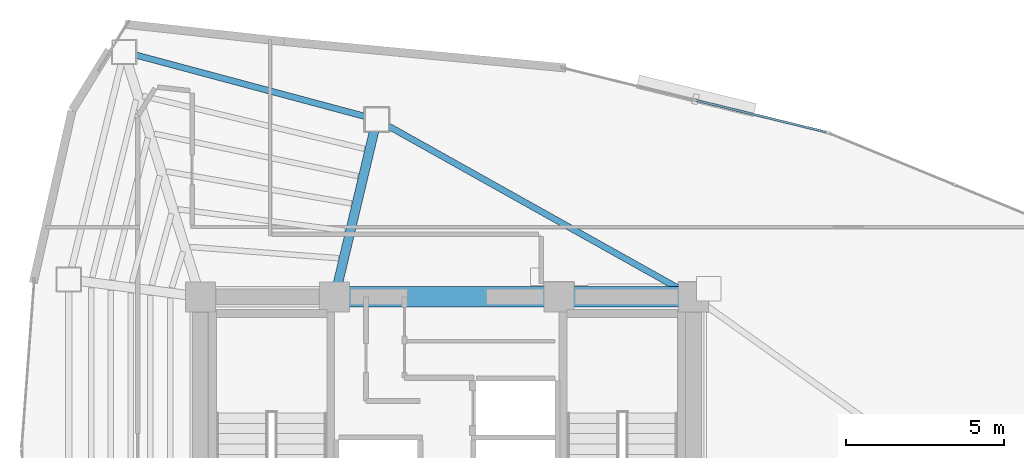
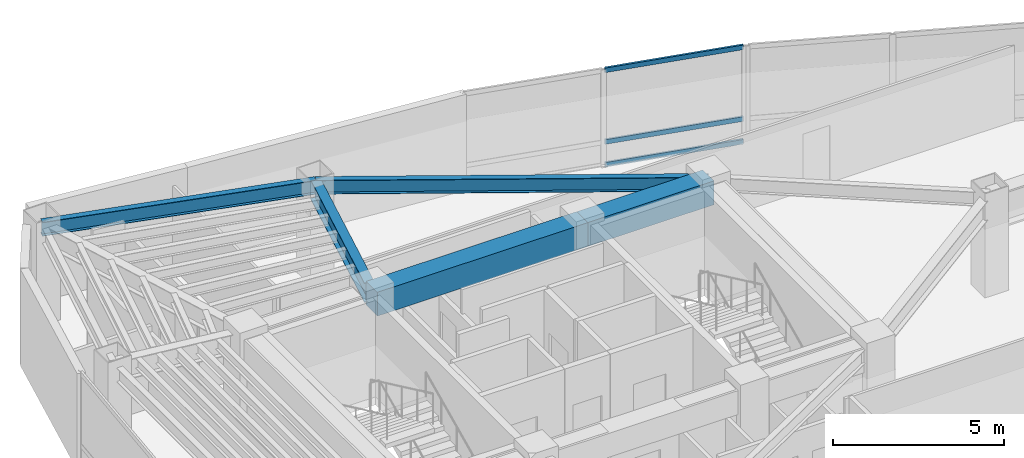
# One storey, part 9 of 17: 5 beams, 3 members, 1 element without a shape of its own.
"""IFC4 building model written with IfcOpenShell, lengths in metres."""

from ifc_helpers import new_model, si_unit, direction, frame, origin, origin_2d, place, context, subcontext, project, spatial, rectangle, hollow_rectangle, i_section, extrude, material, layer, layer_set, material_profile, profile_set, type_object, element, aggregate, save


model = new_model("IFC4")

# Units and contexts
model_context = context("Model", 3, precision=1e-05, world=origin(), true_north=direction((0.0, 1.0)))
body_context = subcontext(model_context, "Body", "Model", "MODEL_VIEW")
ifc_project = project(units=[si_unit("LENGTHUNIT", "METRE"), si_unit("AREAUNIT", "SQUARE_METRE"), si_unit("VOLUMEUNIT", "CUBIC_METRE"), si_unit("PLANEANGLEUNIT", "RADIAN"), si_unit("MASSUNIT", "GRAM", prefix="KILO")], contexts=[model_context])

# Site, building, storey
site_placement = place(None, origin())
site = spatial("IfcSite", under=ifc_project, at=site_placement, CompositionType="ELEMENT")
building_placement = place(site_placement, origin())
building = spatial("IfcBuilding", under=site, at=building_placement, Name="Menara Vayukalpa", CompositionType="ELEMENT")
storey_placement = place(building_placement, frame((0.0, 0.0, 234.419921875)))
storey = spatial("IfcBuildingStorey", under=building, at=storey_placement, Name="L59", CompositionType="ELEMENT", Elevation=234.419921875)

# Beams
ifc_material_1 = material(Name="Concrete C60/75", Category="concrete")
ifc_material_profile_1 = material_profile(ifc_material_1, rectangle(XDim=0.64990234375, YDim=0.85009765625, at=origin_2d()), Name="RC 650x850")
ifc_profile_set_1 = profile_set([ifc_material_profile_1], Name="Concrete C60/75")
beam_type_1 = type_object("IfcBeamType", Name="BM-CB1", PredefinedType="BEAM", material=ifc_profile_set_1)
beam_1_placement = place(storey_placement, frame((22.050048828125, 26.800048828125, 3.01513671875), z_axis=(1.0, 0.0, 0.0), x_axis=(0.0, 1.0, 0.0)))
element("IfcBeam", 1, at=beam_1_placement, inside=storey, type_object=beam_type_1, Name="L59 Core Tie Beam CBR5", PredefinedType="BEAM", context=body_context, shape_type="SweptSolid", body=[
    extrude(rectangle(XDim=0.64990234375, YDim=0.85009765625, at=origin_2d()), origin(), (0.0, 0.0, 1.0), 7.099853515625),
])
beam_2_placement = place(storey_placement, frame((29.14990234375, 26.800048828125, 3.01513671875), z_axis=(1.0, 0.0, 0.0), x_axis=(0.0, 1.0, 0.0)))
element("IfcBeam", 2, at=beam_2_placement, inside=storey, type_object=beam_type_1, Name="L59 Core Tie Beam CBR6", PredefinedType="BEAM", context=body_context, shape_type="SweptSolid", body=[
    extrude(rectangle(XDim=0.64990234375, YDim=0.85009765625, at=origin_2d()), origin(), (0.0, 0.0, 1.0), 4.25),
])
ifc_material_2 = material(Name="Steel S355", Category="steel")
ifc_material_profile_2 = material_profile(ifc_material_2, i_section(OverallWidth=0.300048828125, OverallDepth=0.699951171875, WebThickness=0.012939453125, FlangeThickness=0.02392578125, at=origin_2d()), Name="WF 700x300x13x24")
ifc_profile_set_2 = profile_set([ifc_material_profile_2], Name="Steel S355")
beam_type_2 = type_object("IfcBeamType", Name="BM-PG5", PredefinedType="BEAM", material=ifc_profile_set_2)
beam_3_placement = place(storey_placement, frame((22.10791015625, 27.043212890625, 3.090087890625), z_axis=(0.231167310854, 0.972914011818, 0.0), x_axis=(-0.972914011818, 0.231167310854, 0.0)))
element("IfcBeam", 3, at=beam_3_placement, inside=storey, type_object=beam_type_2, Name="L59 Primary Radial Girder RG03", PredefinedType="BEAM", context=body_context, shape_type="SweptSolid", body=[
    extrude(i_section(OverallWidth=0.300048828125, OverallDepth=0.699951171875, WebThickness=0.012939453125, FlangeThickness=0.02392578125, at=origin_2d()), origin(), (0.0, 0.0, 1.0), 5.5107421875),
])
ifc_material_3 = material(Name="Steel S355", Category="steel")
ifc_material_profile_3 = material_profile(ifc_material_3, i_section(OverallWidth=0.199951171875, OverallDepth=0.5, WebThickness=0.010009765625, FlangeThickness=0.01611328125, at=origin_2d()), Name="WF 500x200x10x16")
ifc_profile_set_3 = profile_set([ifc_material_profile_3], Name="Steel S355")
beam_type_3 = type_object("IfcBeamType", Name="BM-SP3", PredefinedType="SPANDREL", material=ifc_profile_set_3)
beam_4_placement = place(storey_placement, frame((33.39990234375, 26.800048828125, 3.190185546875), z_axis=(-0.87270577288, 0.48824648896, 0.0), x_axis=(-0.48824648896, -0.87270577288, 0.0)))
element("IfcBeam", 4, at=beam_4_placement, inside=storey, type_object=beam_type_3, Name="L59 Perimeter Spandrel Beam SP02", PredefinedType="SPANDREL", context=body_context, shape_type="SweptSolid", body=[
    extrude(i_section(OverallWidth=0.199951171875, OverallDepth=0.5, WebThickness=0.010009765625, FlangeThickness=0.01611328125, at=origin_2d()), origin(), (0.0, 0.0, 1.0), 11.479248046875),
])
beam_5_placement = place(storey_placement, frame((23.3818359375, 32.40478515625, 3.190185546875), z_axis=(-0.965978332552, 0.258623009494, 0.0), x_axis=(-0.258623009494, -0.965978332552, 0.0)))
element("IfcBeam", 5, at=beam_5_placement, inside=storey, type_object=beam_type_3, Name="L59 Perimeter Spandrel Beam SP03", PredefinedType="SPANDREL", context=body_context, shape_type="SweptSolid", body=[
    extrude(i_section(OverallWidth=0.199951171875, OverallDepth=0.5, WebThickness=0.010009765625, FlangeThickness=0.01611328125, at=origin_2d()), origin(), (0.0, 0.0, 1.0), 8.274169921875),
])

# Curtain wall, members
ifc_material_4 = material(Name="Anodised Terracotta Aluminium Alloy 6063-T6", Category="masonry")
ifc_layer = layer(ifc_material_4, 0.179931640625)
ifc_layer_set = layer_set([ifc_layer], Name="Anodised Terracotta Aluminium Alloy 6063-T6")
curtain_wall_type = type_object("IfcCurtainWallType", Name="CW-CW4", PredefinedType="USERDEFINED", material=ifc_layer_set)
curtain_wall_placement = place(storey_placement, origin())
curtain_wall = element("IfcCurtainWall", 6, at=curtain_wall_placement, inside=storey, type_object=curtain_wall_type, Name="L59 Sky Bar Cantilever Glazed Curtain Wall CW4 05", ObjectType="UNITISED", PredefinedType="USERDEFINED")
ifc_material_5 = material(Name="Anodised Terracotta Aluminium Alloy 6063-T6", Category="masonry")
ifc_material_profile_4 = material_profile(ifc_material_5, hollow_rectangle(XDim=0.070068359375, YDim=0.1650390625, WallThickness=0.00390625, at=origin_2d()), Name="ALU 70x165x4")
ifc_profile_set_4 = profile_set([ifc_material_profile_4], Name="Anodised Terracotta Aluminium Alloy 6063-T6")
member_type = type_object("IfcMemberType", Name="CWT-CW4", PredefinedType="USERDEFINED", material=ifc_profile_set_4)
member_1_placement = place(storey_placement, frame((37.583251953125, 32.009765625, 0.03515625), z_axis=(-0.971313425115, 0.237802923009, 0.0), x_axis=(-0.237802923009, -0.971313425115, 0.0)))
member_1 = element("IfcMember", 7, at=member_1_placement, type_object=member_type, Name="CW4 transom 1.1", ObjectType="TRANSOM", PredefinedType="USERDEFINED", context=body_context, shape_type="SweptSolid", body=[
    extrude(hollow_rectangle(XDim=0.070068359375, YDim=0.1650390625, WallThickness=0.00390625, at=origin_2d()), origin(), (0.0, 0.0, 1.0), 4.21435546875),
])
member_2_placement = place(storey_placement, frame((37.583251953125, 32.009765625, 0.85009765625), z_axis=(-0.971313425115, 0.237802923009, 0.0), x_axis=(-0.237802923009, -0.971313425115, 0.0)))
member_2 = element("IfcMember", 8, at=member_2_placement, type_object=member_type, Name="CW4 transom 1.2", ObjectType="TRANSOM", PredefinedType="USERDEFINED", context=body_context, shape_type="SweptSolid", body=[
    extrude(hollow_rectangle(XDim=0.070068359375, YDim=0.1650390625, WallThickness=0.00390625, at=origin_2d()), origin(), (0.0, 0.0, 1.0), 4.21435546875),
])
member_3_placement = place(storey_placement, frame((37.583251953125, 32.009765625, 3.405029296875), z_axis=(-0.971313425115, 0.237802923009, 0.0), x_axis=(-0.237802923009, -0.971313425115, 0.0)))
member_3 = element("IfcMember", 9, at=member_3_placement, type_object=member_type, Name="CW4 transom 1.3", ObjectType="TRANSOM", PredefinedType="USERDEFINED", context=body_context, shape_type="SweptSolid", body=[
    extrude(hollow_rectangle(XDim=0.070068359375, YDim=0.1650390625, WallThickness=0.00390625, at=origin_2d()), origin(), (0.0, 0.0, 1.0), 4.21435546875),
])
aggregate(curtain_wall, [member_1, member_2, member_3])

save(model, "model.ifc")
